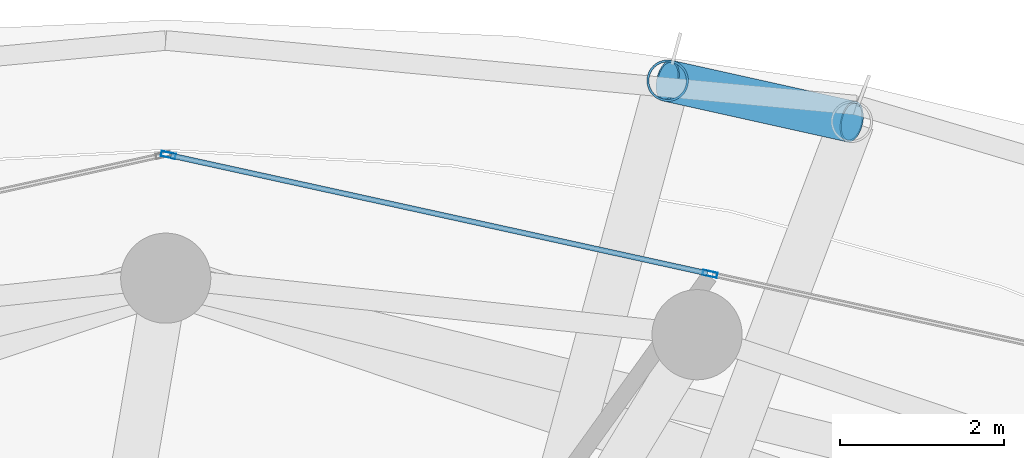
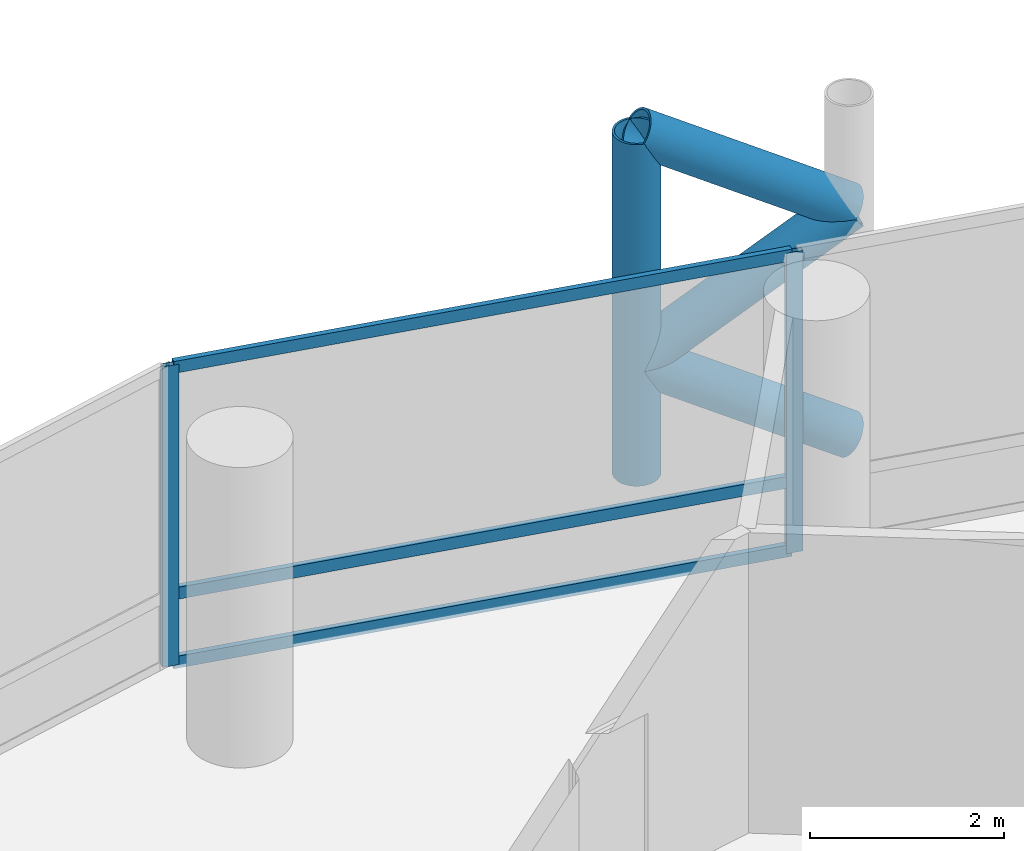
# One storey, part 24 of 37: 9 members, 1 element without a shape of its own.
"""IFC4 building model written with IfcOpenShell, lengths in metres."""

import ifcopenshell
import ifcopenshell.guid

model = None  # the IFC model being written
_history = None  # IfcOwnerHistory: only IFC2X3 demands one
_inside = {}  # id of a spatial element -> (the spatial element, [elements in it])
_under = {}  # id of a project, library or spatial element -> (it, [spatial elements below it])
_declared = {}  # id of a project -> (the project, [libraries it declares])
_typed = {}  # id of a type object -> (the type object, [elements of that type])
_made_of = {}  # id of a material, layer set ... -> (it, [elements and type objects made of it])


def new_model(schema):
    """Start an empty IFC model of exactly this schema.

    Asked for "IFC4X3", IfcOpenShell would pick the latest addendum, in which some entities
    have other attributes; the version numbers below select the first issue.
    IFC2X3 requires an IfcOwnerHistory on every rooted entity: one is made here for all.
    """
    global model, _history
    if schema == "IFC4X3":
        model = ifcopenshell.file(schema_version=(4, 3, 0, 0))
    else:
        model = ifcopenshell.file(schema=schema)
    _inside.clear()
    _under.clear()
    _declared.clear()
    _typed.clear()
    _made_of.clear()
    _history = None
    if model.schema == "IFC2X3":
        org = make("IfcOrganization", Name="unknown")
        user = make(
            "IfcPersonAndOrganization",
            ThePerson=make("IfcPerson", FamilyName="unknown"),
            TheOrganization=org,
        )
        app = make(
            "IfcApplication",
            ApplicationDeveloper=org,
            Version="unknown",
            ApplicationFullName="unknown",
            ApplicationIdentifier="unknown",
        )
        _history = make(
            "IfcOwnerHistory",
            OwningUser=user,
            OwningApplication=app,
            ChangeAction="ADDED",
            CreationDate=0,
        )
    return model


def make(cls, **values):
    """One entity of the class cls with the attributes given. An attribute that is None is left unset."""
    return model.create_entity(
        cls, **{name: value for name, value in values.items() if value is not None}
    )


def rooted(cls, **values):
    """An entity with a GlobalId (a new one), such as an element, a storey or a relation."""
    return make(cls, GlobalId=ifcopenshell.guid.new(), OwnerHistory=_history, **values)


def si_unit(unit_type, name, prefix=None):
    """IfcSIUnit, for example si_unit("LENGTHUNIT", "METRE", prefix="MILLI")."""
    return make("IfcSIUnit", UnitType=unit_type, Prefix=prefix, Name=name)


def assignment(units):
    """IfcUnitAssignment: the units of a project."""
    return None if units is None else make("IfcUnitAssignment", Units=units)


def point(xyz):
    """IfcCartesianPoint."""
    return None if xyz is None else make("IfcCartesianPoint", Coordinates=xyz)


def direction(xyz):
    """IfcDirection."""
    return None if xyz is None else make("IfcDirection", DirectionRatios=xyz)


def frame(location, z_axis=None, x_axis=None):
    """IfcAxis2Placement3D, a coordinate frame: its origin and axes. An axis left out is left unset."""
    return make(
        "IfcAxis2Placement3D",
        Location=point(location),
        Axis=direction(z_axis),
        RefDirection=direction(x_axis),
    )


def frame_2d(location, x_axis=None):
    """IfcAxis2Placement2D, a coordinate frame in the plane: its origin and x axis."""
    return make(
        "IfcAxis2Placement2D", Location=point(location), RefDirection=direction(x_axis)
    )


def origin():
    """The frame at (0, 0, 0) with its axes left unset."""
    return frame((0.0, 0.0, 0.0))


def origin_2d():
    """The frame at (0, 0) in the plane with its x axis left unset."""
    return frame_2d((0.0, 0.0))


def place(relative_to, where):
    """IfcLocalPlacement: puts the frame where relative to a parent placement (None: the world)."""
    return make(
        "IfcLocalPlacement", PlacementRelTo=relative_to, RelativePlacement=where
    )


def context(
    kind, dimensions, precision=None, world=None, true_north=None, identifier=None
):
    """IfcGeometricRepresentationContext, for example the 3D "Model" context."""
    return make(
        "IfcGeometricRepresentationContext",
        ContextIdentifier=identifier,
        ContextType=kind,
        CoordinateSpaceDimension=dimensions,
        Precision=precision,
        WorldCoordinateSystem=world,
        TrueNorth=true_north,
    )


def subcontext(parent, identifier, kind, view, scale=None):
    """IfcGeometricRepresentationSubContext, for example "Body" below "Model"."""
    return make(
        "IfcGeometricRepresentationSubContext",
        ContextIdentifier=identifier,
        ContextType=kind,
        ParentContext=parent,
        TargetScale=scale,
        TargetView=view,
    )


def project(units=None, contexts=None):
    """IfcProject with its units and contexts."""
    return rooted(
        "IfcProject",
        Name="project",
        RepresentationContexts=contexts,
        UnitsInContext=assignment(units),
    )


def spatial(cls, under=None, at=None, **own):
    """A site, building, storey or space (cls), placed at a placement, below another one or the project."""
    s = rooted(cls, ObjectPlacement=at, **own)
    if under is not None:
        _under.setdefault(under.id(), (under, []))[1].append(s)
    return s


def profile(cls, at=None, kind="AREA", **sizes):
    """A parametric profile (cls). Its sizes go by their IFC names, for example OverallWidth=200.0."""
    return make(cls, ProfileType=kind, Position=at, **sizes)


def hollow_rectangle(**sizes):
    """IfcRectangleHollowProfileDef."""
    return profile("IfcRectangleHollowProfileDef", **sizes)


def hollow_circle(**sizes):
    """IfcCircleHollowProfileDef."""
    return profile("IfcCircleHollowProfileDef", **sizes)


def extrude(swept, where, along, depth):
    """IfcExtrudedAreaSolid: the profile swept, set in the frame where, extruded along a direction by depth."""
    return make(
        "IfcExtrudedAreaSolid",
        SweptArea=swept,
        Position=where,
        ExtrudedDirection=direction(along),
        Depth=depth,
    )


def shape(context_of_items, identifier, shape_type, items):
    """IfcShapeRepresentation: the items that make up one representation, for example the "Body"."""
    return make(
        "IfcShapeRepresentation",
        ContextOfItems=context_of_items,
        RepresentationIdentifier=identifier,
        RepresentationType=shape_type,
        Items=items,
    )


def material(Name=None, Category=None):
    """IfcMaterial."""
    return make("IfcMaterial", Name=Name, Category=Category)


def layer(
    of_material, thickness, ventilated=None, Name=None, Category=None, Priority=None
):
    """IfcMaterialLayer: one layer of a wall or slab, of a material (None: an air gap)."""
    return make(
        "IfcMaterialLayer",
        Material=of_material,
        LayerThickness=thickness,
        IsVentilated=ventilated,
        Name=Name,
        Category=Category,
        Priority=Priority,
    )


def layer_set(layers, Name=None):
    """IfcMaterialLayerSet."""
    return make("IfcMaterialLayerSet", MaterialLayers=layers, LayerSetName=Name)


def material_profile(
    of_material, cross_section, Name=None, Category=None, Priority=None
):
    """IfcMaterialProfile: a cross section and its material."""
    return make(
        "IfcMaterialProfile",
        Name=Name,
        Material=of_material,
        Profile=cross_section,
        Priority=Priority,
        Category=Category,
    )


def profile_set(profiles, Name=None, composite=None):
    """IfcMaterialProfileSet."""
    return make(
        "IfcMaterialProfileSet",
        Name=Name,
        MaterialProfiles=profiles,
        CompositeProfile=composite,
    )


def made_of(thing, what):
    """Note that an element or type object is made of a material, layer set ...; save() writes the relation."""
    if what is not None:
        _made_of.setdefault(what.id(), (what, []))[1].append(thing)
    return thing


def type_object(cls, material=None, **own):
    """A type object (cls), such as IfcWallType, which elements share."""
    return made_of(rooted(cls, **own), material)


def element(
    cls,
    number,
    at=None,
    inside=None,
    cuts=None,
    type_object=None,
    material=None,
    context=None,
    identifier="Body",
    shape_type=None,
    held_by="IfcProductDefinitionShape",
    body=None,
    shapes=None,
    **own,
):
    """One element of the class cls, such as IfcWall. Its Tag is "e" and its number.

    at: its placement. inside: the storey or other place that contains it. cuts: it is an
    opening in that element (IfcRelVoidsElement). A single representation is given by context,
    identifier, shape_type and body (its items); several are given by shapes. held_by: the class
    of the entity that holds the representations. save() writes the other relations.
    """
    e = rooted(cls, Tag="e%d" % number, ObjectPlacement=at, **own)
    if body is not None:
        shapes = [shape(context, identifier, shape_type, body)]
    if shapes is not None:
        e.Representation = make(held_by, Representations=shapes)
    if inside is not None:
        _inside.setdefault(inside.id(), (inside, []))[1].append(e)
    if cuts is not None:
        rooted(
            "IfcRelVoidsElement", RelatingBuildingElement=cuts, RelatedOpeningElement=e
        )
    if type_object is not None:
        _typed.setdefault(type_object.id(), (type_object, []))[1].append(e)
    return made_of(e, material)


def aggregate(whole, parts):
    """IfcRelAggregates: a whole, such as a stair, and the parts it consists of."""
    return rooted("IfcRelAggregates", RelatingObject=whole, RelatedObjects=parts)


def save(model, path):
    """Write the relations noted so far, then the file.

    IfcRelAggregates (storeys below a building ...), IfcRelContainedInSpatialStructure (elements
    in a storey), IfcRelDefinesByType, IfcRelAssociatesMaterial and IfcRelDeclares: one each for
    every whole, place, type object, material and project.
    """
    for whole, parts in _under.values():
        aggregate(whole, parts)
    for where, things in _inside.values():
        rooted(
            "IfcRelContainedInSpatialStructure",
            RelatedElements=things,
            RelatingStructure=where,
        )
    for kind, things in _typed.values():
        rooted("IfcRelDefinesByType", RelatedObjects=things, RelatingType=kind)
    for what, things in _made_of.values():
        rooted("IfcRelAssociatesMaterial", RelatedObjects=things, RelatingMaterial=what)
    for by, libraries in _declared.values():
        rooted("IfcRelDeclares", RelatingContext=by, RelatedDefinitions=libraries)
    model.write(path)


model = new_model("IFC4")

# Units and contexts
model_context = context("Model", 3, precision=1e-05, world=origin(), true_north=direction((0.0, 1.0)))
body_context = subcontext(model_context, "Body", "Model", "MODEL_VIEW")
ifc_project = project(units=[si_unit("LENGTHUNIT", "METRE"), si_unit("AREAUNIT", "SQUARE_METRE"), si_unit("VOLUMEUNIT", "CUBIC_METRE"), si_unit("PLANEANGLEUNIT", "RADIAN"), si_unit("MASSUNIT", "GRAM", prefix="KILO")], contexts=[model_context])

# Site, building, storey
site_placement = place(None, origin())
site = spatial("IfcSite", under=ifc_project, at=site_placement, CompositionType="ELEMENT")
building_placement = place(site_placement, origin())
building = spatial("IfcBuilding", under=site, at=building_placement, Name="Nuhasar Tower", CompositionType="ELEMENT")
storey_placement = place(building_placement, frame((0.0, 0.0, 21.0)))
storey = spatial("IfcBuildingStorey", under=building, at=storey_placement, Name="L04", CompositionType="ELEMENT", Elevation=21.0)

# Curtain wall, members
ifc_material_1 = material(Name="Aluminium 6063-T6", Category="aluminium")
ifc_layer = layer(ifc_material_1, 0.199951171875)
ifc_layer_set = layer_set([ifc_layer], Name="Aluminium 6063-T6")
curtain_wall_type = type_object("IfcCurtainWallType", Name="CW-Z1-OFF", PredefinedType="NOTDEFINED", material=ifc_layer_set)
curtain_wall_placement = place(storey_placement, origin())
curtain_wall = element("IfcCurtainWall", 1, at=curtain_wall_placement, inside=storey, type_object=curtain_wall_type, Name="L04 Unitised Curtain Wall 03", PredefinedType="NOTDEFINED")
ifc_material_profile_1 = material_profile(ifc_material_1, hollow_rectangle(XDim=0.06494140625, YDim=0.179931640625, WallThickness=0.0048828125, at=origin_2d()), Name="CWM-2")
ifc_profile_set_1 = profile_set([ifc_material_profile_1], Name="Aluminium 6063-T6")
member_type_1 = type_object("IfcMemberType", Name="CW-MUL-S2", PredefinedType="MULLION", material=ifc_profile_set_1)
member_1_placement = place(storey_placement, frame((45.639892578125, 47.1025390625, 0.0), z_axis=(0.0, 0.0, 1.0), x_axis=(-0.214398737637, -0.976746221544, 0.0)))
member_1 = element("IfcMember", 2, at=member_1_placement, type_object=member_type_1, Name="CW-Z1 mullion 2", PredefinedType="MULLION", context=body_context, shape_type="SweptSolid", body=[
    extrude(hollow_rectangle(XDim=0.06494140625, YDim=0.179931640625, WallThickness=0.0048828125, at=origin_2d()), origin(), (0.0, 0.0, 1.0), 3.7900390625),
])
member_2_placement = place(storey_placement, frame((39.03173828125, 48.552978515625, 0.0), z_axis=(0.0, 0.0, 1.0), x_axis=(-0.214398737637, -0.976746221544, 0.0)))
member_2 = element("IfcMember", 3, at=member_2_placement, type_object=member_type_1, Name="CW-Z1 mullion 3", PredefinedType="MULLION", context=body_context, shape_type="SweptSolid", body=[
    extrude(hollow_rectangle(XDim=0.06494140625, YDim=0.179931640625, WallThickness=0.0048828125, at=origin_2d()), origin(), (0.0, 0.0, 1.0), 3.7900390625),
])
ifc_material_profile_2 = material_profile(ifc_material_1, hollow_rectangle(XDim=0.06494140625, YDim=0.14990234375, WallThickness=0.00439453125, at=origin_2d()), Name="CWT-2")
ifc_profile_set_2 = profile_set([ifc_material_profile_2], Name="Aluminium 6063-T6")
member_type_2 = type_object("IfcMemberType", Name="CW-TRN-S2", PredefinedType="USERDEFINED", material=ifc_profile_set_2)
member_3_placement = place(storey_placement, frame((45.608154296875, 47.109375, 0.032470703125), z_axis=(-0.976740248595, 0.214425947065, 0.0), x_axis=(-0.214425947065, -0.976740248595, 0.0)))
member_3 = element("IfcMember", 4, at=member_3_placement, type_object=member_type_2, Name="CW-Z1 transom 2.1", ObjectType="TRANSOM", PredefinedType="USERDEFINED", context=body_context, shape_type="SweptSolid", body=[
    extrude(hollow_rectangle(XDim=0.06494140625, YDim=0.14990234375, WallThickness=0.00439453125, at=origin_2d()), origin(), (0.0, 0.0, 1.0), 6.700439453125),
])
member_4_placement = place(storey_placement, frame((45.608154296875, 47.109375, 0.89990234375), z_axis=(-0.976740248595, 0.214425947065, 0.0), x_axis=(-0.214425947065, -0.976740248595, 0.0)))
member_4 = element("IfcMember", 5, at=member_4_placement, type_object=member_type_2, Name="CW-Z1 transom 2.2", ObjectType="TRANSOM", PredefinedType="USERDEFINED", context=body_context, shape_type="SweptSolid", body=[
    extrude(hollow_rectangle(XDim=0.06494140625, YDim=0.14990234375, WallThickness=0.00439453125, at=origin_2d()), origin(), (0.0, 0.0, 1.0), 6.700439453125),
])
member_5_placement = place(storey_placement, frame((45.608154296875, 47.109375, 3.757568359375), z_axis=(-0.976740248595, 0.214425947065, 0.0), x_axis=(-0.214425947065, -0.976740248595, 0.0)))
member_5 = element("IfcMember", 6, at=member_5_placement, type_object=member_type_2, Name="CW-Z1 transom 2.3", ObjectType="TRANSOM", PredefinedType="USERDEFINED", context=body_context, shape_type="SweptSolid", body=[
    extrude(hollow_rectangle(XDim=0.06494140625, YDim=0.14990234375, WallThickness=0.00439453125, at=origin_2d()), origin(), (0.0, 0.0, 1.0), 6.700439453125),
])
aggregate(curtain_wall, [member_1, member_2, member_3, member_4, member_5])

# Members
ifc_material_2 = material(Name="Steel S460", Category="steel")
ifc_material_profile_3 = material_profile(ifc_material_2, hollow_circle(Radius=0.25390625, WallThickness=0.025390625, at=origin_2d()), Name="HSS508X25.4")
ifc_profile_set_3 = profile_set([ifc_material_profile_3], Name="Steel S460")
member_type_3 = type_object("IfcMemberType", Name="EXO-BRONZE-508", PredefinedType="BRACE", material=ifc_profile_set_3)
member_6_placement = place(storey_placement, frame((45.1240234375, 49.458984375, -0.260009765625), z_axis=(0.0, 0.0, 1.0), x_axis=(1.0, 0.0, 0.0)))
element("IfcMember", 7, at=member_6_placement, inside=storey, type_object=member_type_3, Name="L04 Exoskeleton Chord Column EC-03B", PredefinedType="BRACE", context=body_context, shape_type="SweptSolid", body=[
    extrude(hollow_circle(Radius=0.25390625, WallThickness=0.025390625, at=origin_2d()), origin(), (0.0, 0.0, 1.0), 4.31005859375),
])
member_7_placement = place(storey_placement, frame((47.3701171875, 48.9599609375, -0.260009765625), z_axis=(-0.8279794046, 0.183955424239, 0.529726823421), x_axis=(-0.216885517571, -0.97619704582, 0.0)))
element("IfcMember", 8, at=member_7_placement, inside=storey, type_object=member_type_3, Name="L04 Bronze Diagrid Brace W1-03", PredefinedType="BRACE", context=body_context, shape_type="SweptSolid", body=[
    extrude(hollow_circle(Radius=0.25390625, WallThickness=0.025390625, at=origin_2d()), origin(), (0.0, 0.0, 1.0), 2.712646484375),
])
member_8_placement = place(storey_placement, frame((45.1240234375, 49.458984375, 1.177001953125), z_axis=(0.828137289214, -0.183990502082, 0.529467775561), x_axis=(0.216885517571, 0.97619704582, 0.0)))
element("IfcMember", 9, at=member_8_placement, inside=storey, type_object=member_type_3, Name="L04 Bronze Diagrid Brace W2-03", PredefinedType="BRACE", context=body_context, shape_type="SweptSolid", body=[
    extrude(hollow_circle(Radius=0.25390625, WallThickness=0.025390625, at=origin_2d()), origin(), (0.0, 0.0, 1.0), 2.712158203125),
])
member_9_placement = place(storey_placement, frame((47.3701171875, 48.9599609375, 2.613037109375), z_axis=(-0.8279794046, 0.183955424239, 0.529726823421), x_axis=(-0.216885517571, -0.97619704582, 0.0)))
element("IfcMember", 10, at=member_9_placement, inside=storey, type_object=member_type_3, Name="L04 Bronze Diagrid Brace W3-03", PredefinedType="BRACE", context=body_context, shape_type="SweptSolid", body=[
    extrude(hollow_circle(Radius=0.25390625, WallThickness=0.025390625, at=origin_2d()), origin(), (0.0, 0.0, 1.0), 2.712646484375),
])

save(model, "model.ifc")
